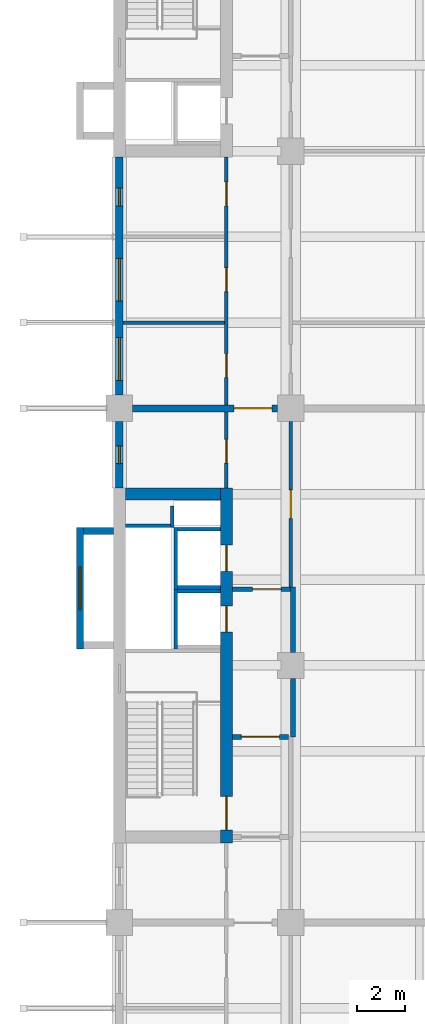
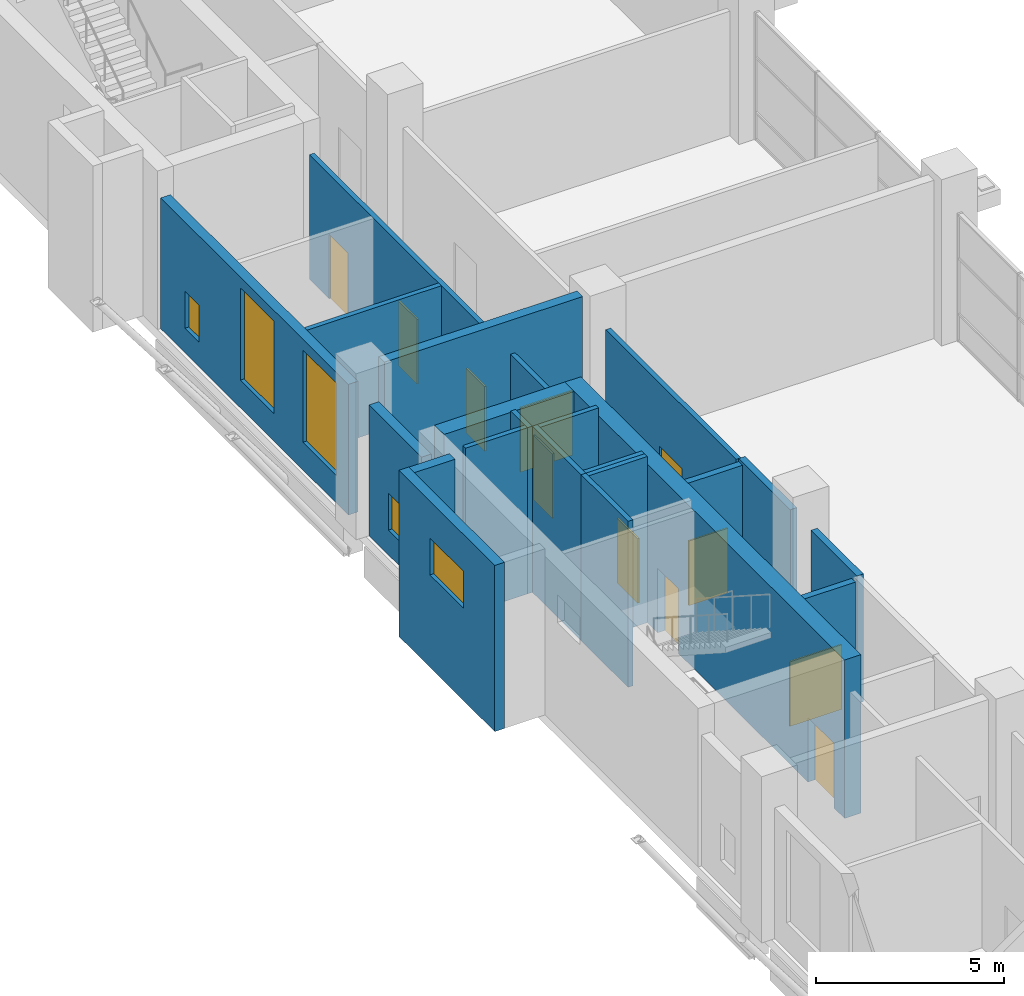
# One storey, part 20 of 38: 22 walls, 11 doors, 5 windows, 16 openings.
"""IFC4 building model written with IfcOpenShell, lengths in metres."""

from ifc_helpers import new_model, si_unit, direction, frame, frame_2d, origin, place, context, subcontext, project, spatial, rectangle, extrude, material, layer, layer_set, type_object, element, fill, save


model = new_model("IFC4")

# Units and contexts
model_context = context("Model", 3, precision=1e-05, world=origin(), true_north=direction((0.0, 1.0)))
body_context = subcontext(model_context, "Body", "Model", "MODEL_VIEW")
ifc_project = project(units=[si_unit("LENGTHUNIT", "METRE"), si_unit("AREAUNIT", "SQUARE_METRE"), si_unit("VOLUMEUNIT", "CUBIC_METRE"), si_unit("PLANEANGLEUNIT", "RADIAN"), si_unit("MASSUNIT", "GRAM", prefix="KILO")], contexts=[model_context])

# Site, building, storey
site_placement = place(None, origin())
site = spatial("IfcSite", under=ifc_project, at=site_placement, CompositionType="ELEMENT")
building_placement = place(site_placement, origin())
building = spatial("IfcBuilding", under=site, at=building_placement, Name="Basin Gate Institute", CompositionType="ELEMENT")
storey_placement = place(building_placement, frame((0.0, 0.0, 16.800048828125)))
storey = spatial("IfcBuildingStorey", under=building, at=storey_placement, Name="L03", CompositionType="ELEMENT", Elevation=16.800048828125)

# Wall, opening, door
ifc_material_1 = material(Name="Fire-rated masonry", Category="masonry")
ifc_layer_1 = layer(ifc_material_1, 0.199951171875)
ifc_layer_set_1 = layer_set([ifc_layer_1], Name="Enclosure wall PW2 200 EI 60")
wall_type_1 = type_object("IfcWallType", Name="Enclosure wall PW2 200 EI 60", PredefinedType="PARTITIONING", material=ifc_layer_set_1)
wall_1_placement = place(storey_placement, frame((65.949951171875, 64.5, 0.0), z_axis=(0.0, 0.0, 1.0), x_axis=(1.0, 0.0, 0.0)))
wall_1 = element("IfcWall", 1, at=wall_1_placement, inside=storey, type_object=wall_type_1, material=ifc_layer_set_1, Name="Smoke lobby enclosure wall PW2 L03", PredefinedType="PARTITIONING", context=body_context, shape_type="SweptSolid", body=[
    extrude(rectangle(XDim=2.35009765625, YDim=0.199951171875, at=frame_2d((1.175048828125, 0.0))), origin(), (0.0, 0.0, 1.0), 4.050048828125),
])
opening_1_placement = place(wall_1_placement, frame((0.375, 0.0, 0.0)))
opening_1 = element("IfcOpeningElement", 2, at=opening_1_placement, cuts=wall_1, Name="Opening DR193", PredefinedType="OPENING", context=body_context, shape_type="SweptSolid", body=[
    extrude(rectangle(XDim=1.60009765625, YDim=2.10009765625, at=frame_2d((0.800048828125, 1.050048828125))), frame((0.0, 0.10986328125, 0.0), z_axis=(0.0, -1.0, 0.0), x_axis=(1.0, 0.0, 0.0)), (0.0, 0.0, 1.0), 0.219970703125),
])
ifc_material_2 = material(Name="Steel fire door", Category="steel")
door_type_1 = type_object("IfcDoorType", Name="FD60 Smoke lobby door pair D8", OperationType="DOUBLE_DOOR_SINGLE_SWING", PredefinedType="DOOR", material=ifc_material_2)
door_1_placement = place(opening_1_placement, frame((1.60009765625, 0.0, 0.0), z_axis=(0.0, 0.0, 1.0), x_axis=(-1.0, 0.0, 0.0)))
door_1 = element("IfcDoor", 3, at=door_1_placement, inside=storey, type_object=door_type_1, material=ifc_material_2, Name="Smoke lobby door SS2 L03", OperationType="DOUBLE_DOOR_SINGLE_SWING", OverallHeight=2.10009765625, OverallWidth=1.60009765625, PredefinedType="DOOR", context=body_context, shape_type="SweptSolid", body=[
    extrude(rectangle(XDim=1.60009765625, YDim=2.10009765625, at=frame_2d((0.800048828125, 1.050048828125))), frame((0.0, 0.02490234375, 0.0), z_axis=(0.0, -1.0, 0.0), x_axis=(1.0, 0.0, 0.0)), (0.0, 0.0, 1.0), 0.050048828125),
])
fill(opening_1, door_1)

wall_2_placement = place(storey_placement, frame((65.949951171875, 70.699951171875, 0.0), z_axis=(0.0, 0.0, 1.0), x_axis=(1.0, 0.0, 0.0)))
wall_2 = element("IfcWall", 4, at=wall_2_placement, inside=storey, type_object=wall_type_1, material=ifc_layer_set_1, Name="Emergency lift lobby wall PW2 L03", PredefinedType="PARTITIONING", context=body_context, shape_type="SweptSolid", body=[
    extrude(rectangle(XDim=2.449951171875, YDim=0.199951171875, at=frame_2d((1.22509765625, 0.0))), origin(), (0.0, 0.0, 1.0), 4.050048828125),
])
opening_2_placement = place(wall_2_placement, frame((0.85009765625, 0.0, 0.0)))
opening_2 = element("IfcOpeningElement", 5, at=opening_2_placement, cuts=wall_2, Name="Opening DR190", PredefinedType="OPENING", context=body_context, shape_type="SweptSolid", body=[
    extrude(rectangle(XDim=1.199951171875, YDim=2.10009765625, at=frame_2d((0.60009765625, 1.050048828125))), frame((0.0, 0.10986328125, 0.0), z_axis=(0.0, -1.0, 0.0), x_axis=(1.0, 0.0, 0.0)), (0.0, 0.0, 1.0), 0.219970703125),
])
ifc_material_3 = material(Name="Steel fire door", Category="steel")
door_type_2 = type_object("IfcDoorType", Name="FD60 Emergency lift lobby door D9", OperationType="NOTDEFINED", PredefinedType="DOOR", material=ifc_material_3)
door_2_placement = place(opening_2_placement, frame((1.199951171875, 0.0, 0.0), z_axis=(0.0, 0.0, 1.0), x_axis=(-1.0, 0.0, 0.0)))
door_2 = element("IfcDoor", 6, at=door_2_placement, inside=storey, type_object=door_type_2, material=ifc_material_3, Name="Emergency lift lobby door LF1 L03", OperationType="SINGLE_SWING_LEFT", OverallHeight=2.10009765625, OverallWidth=1.199951171875, PredefinedType="DOOR", context=body_context, shape_type="SweptSolid", body=[
    extrude(rectangle(XDim=1.199951171875, YDim=2.10009765625, at=frame_2d((0.60009765625, 1.050048828125))), frame((0.0, 0.02490234375, 0.0), z_axis=(0.0, -1.0, 0.0), x_axis=(1.0, 0.0, 0.0)), (0.0, 0.0, 1.0), 0.050048828125),
])
fill(opening_2, door_2)

# Walls
wall_3_placement = place(storey_placement, frame((68.5, 64.5, 0.0), z_axis=(0.0, 0.0, 1.0), x_axis=(0.0, 1.0, 0.0)))
element("IfcWall", 7, at=wall_3_placement, inside=storey, type_object=wall_type_1, material=ifc_layer_set_1, Name="Emergency lift lobby wall PW2 L03", PredefinedType="PARTITIONING", context=body_context, shape_type="SweptSolid", body=[
    extrude(rectangle(XDim=2.449951171875, YDim=0.199951171875, at=frame_2d((1.22509765625, 0.0))), origin(), (0.0, 0.0, 1.0), 4.14990234375),
])
wall_4_placement = place(storey_placement, frame((68.5, 68.050048828125, 0.0), z_axis=(0.0, 0.0, 1.0), x_axis=(0.0, 1.0, 0.0)))
element("IfcWall", 8, at=wall_4_placement, inside=storey, type_object=wall_type_1, material=ifc_layer_set_1, Name="Emergency lift lobby wall PW2 L03", PredefinedType="PARTITIONING", context=body_context, shape_type="SweptSolid", body=[
    extrude(rectangle(XDim=2.75, YDim=0.199951171875, at=frame_2d((1.375, 0.0))), origin(), (0.0, 0.0, 1.0), 4.14990234375),
])

# Wall, opening, window
ifc_material_4 = material(Name="Aluminium-faced insulated panel wall", Category="aluminium")
ifc_layer_2 = layer(ifc_material_4, 0.300048828125)
ifc_layer_set_2 = layer_set([ifc_layer_2], Name="External wall EW1 EI 120")
wall_type_2 = type_object("IfcWallType", Name="External wall EW1 EI 120", PredefinedType="STANDARD", material=ifc_layer_set_2)
wall_5_placement = place(storey_placement, frame((61.199951171875, 74.949951171875, 0.0), z_axis=(0.0, 0.0, 1.0), x_axis=(0.0, 1.0, 0.0)))
wall_5 = element("IfcWall", 9, at=wall_5_placement, inside=storey, type_object=wall_type_2, material=ifc_layer_set_2, Name="External wall W facade L03 3", PredefinedType="STANDARD", context=body_context, shape_type="SweptSolid", body=[
    extrude(rectangle(XDim=2.800048828125, YDim=0.300048828125, at=frame_2d((1.39990234375, 0.0))), origin(), (0.0, 0.0, 1.0), 4.25),
])
opening_3_placement = place(wall_5_placement, frame((1.02490234375, 0.0, 0.800048828125)))
opening_3 = element("IfcOpeningElement", 10, at=opening_3_placement, cuts=wall_5, Name="Opening WN3", PredefinedType="OPENING", context=body_context, shape_type="SweptSolid", body=[
    extrude(rectangle(XDim=0.75, YDim=1.199951171875, at=frame_2d((0.375, 0.60009765625))), frame((0.0, 0.16015625, 0.0), z_axis=(0.0, -1.0, 0.0), x_axis=(1.0, 0.0, 0.0)), (0.0, 0.0, 1.0), 0.320068359375),
])
ifc_material_5 = material(Name="Aluminium-framed double glazing", Category="aluminium")
window_type_1 = type_object("IfcWindowType", Name="Emergency entry panel WN3", PartitioningType="SINGLE_PANEL", PredefinedType="WINDOW", material=ifc_material_5)
window_1_placement = place(opening_3_placement, origin())
window_1 = element("IfcWindow", 11, at=window_1_placement, inside=storey, type_object=window_type_1, material=ifc_material_5, Name="Emergency entry panel W facade L03 bay 12", OverallHeight=1.199951171875, OverallWidth=0.75, PartitioningType="SINGLE_PANEL", PredefinedType="WINDOW", context=body_context, shape_type="SweptSolid", body=[
    extrude(rectangle(XDim=0.75, YDim=1.199951171875, at=frame_2d((0.375, 0.60009765625))), frame((0.0, 0.030029296875, 0.0), z_axis=(0.0, -1.0, 0.0), x_axis=(1.0, 0.0, 0.0)), (0.0, 0.0, 1.0), 0.06005859375),
])
fill(opening_3, window_1)

# Wall, openings, windows
wall_6_placement = place(storey_placement, frame((61.199951171875, 78.85009765625, 0.0), z_axis=(0.0, 0.0, 1.0), x_axis=(0.0, 1.0, 0.0)))
wall_6 = element("IfcWall", 12, at=wall_6_placement, inside=storey, type_object=wall_type_2, material=ifc_layer_set_2, Name="External wall W facade L03 4", PredefinedType="STANDARD", context=body_context, shape_type="SweptSolid", body=[
    extrude(rectangle(XDim=10.0, YDim=0.300048828125, at=frame_2d((5.0, 0.0))), origin(), (0.0, 0.0, 1.0), 4.25),
])
opening_4_placement = place(wall_6_placement, frame((0.625, 0.0, 0.89990234375)))
opening_4 = element("IfcOpeningElement", 13, at=opening_4_placement, cuts=wall_6, Name="Opening WN2", PredefinedType="OPENING", context=body_context, shape_type="SweptSolid", body=[
    extrude(rectangle(XDim=1.800048828125, YDim=3.0, at=frame_2d((0.89990234375, 1.5))), frame((0.0, 0.16015625, 0.0), z_axis=(0.0, -1.0, 0.0), x_axis=(1.0, 0.0, 0.0)), (0.0, 0.0, 1.0), 0.320068359375),
])
opening_5_placement = place(wall_6_placement, frame((3.949951171875, 0.0, 0.89990234375)))
opening_5 = element("IfcOpeningElement", 14, at=opening_5_placement, cuts=wall_6, Name="Opening WN2", PredefinedType="OPENING", context=body_context, shape_type="SweptSolid", body=[
    extrude(rectangle(XDim=1.800048828125, YDim=3.0, at=frame_2d((0.89990234375, 1.5))), frame((0.0, 0.16015625, 0.0), z_axis=(0.0, -1.0, 0.0), x_axis=(1.0, 0.0, 0.0)), (0.0, 0.0, 1.0), 0.320068359375),
])
opening_6_placement = place(wall_6_placement, frame((7.949951171875, 0.0, 0.800048828125)))
opening_6 = element("IfcOpeningElement", 15, at=opening_6_placement, cuts=wall_6, Name="Opening WN3", PredefinedType="OPENING", context=body_context, shape_type="SweptSolid", body=[
    extrude(rectangle(XDim=0.75, YDim=1.199951171875, at=frame_2d((0.375, 0.60009765625))), frame((0.0, 0.16015625, 0.0), z_axis=(0.0, -1.0, 0.0), x_axis=(1.0, 0.0, 0.0)), (0.0, 0.0, 1.0), 0.320068359375),
])
window_2_placement = place(opening_6_placement, origin())
window_2 = element("IfcWindow", 16, at=window_2_placement, inside=storey, type_object=window_type_1, material=ifc_material_5, Name="Emergency entry panel W facade L03 bay 15", OverallHeight=1.199951171875, OverallWidth=0.75, PartitioningType="SINGLE_PANEL", PredefinedType="WINDOW", context=body_context, shape_type="SweptSolid", body=[
    extrude(rectangle(XDim=0.75, YDim=1.199951171875, at=frame_2d((0.375, 0.60009765625))), frame((0.0, 0.030029296875, 0.0), z_axis=(0.0, -1.0, 0.0), x_axis=(1.0, 0.0, 0.0)), (0.0, 0.0, 1.0), 0.06005859375),
])
fill(opening_6, window_2)
ifc_material_6 = material(Name="Aluminium-framed double glazing", Category="aluminium")
window_type_2 = type_object("IfcWindowType", Name="Podium window WN2", PartitioningType="SINGLE_PANEL", PredefinedType="WINDOW", material=ifc_material_6)
window_3_placement = place(opening_4_placement, origin())
window_3 = element("IfcWindow", 17, at=window_3_placement, inside=storey, type_object=window_type_2, material=ifc_material_6, Name="Podium window W facade L03 bay 13", OverallHeight=3.0, OverallWidth=1.800048828125, PartitioningType="SINGLE_PANEL", PredefinedType="WINDOW", context=body_context, shape_type="SweptSolid", body=[
    extrude(rectangle(XDim=1.800048828125, YDim=3.0, at=frame_2d((0.89990234375, 1.5))), frame((0.0, 0.030029296875, 0.0), z_axis=(0.0, -1.0, 0.0), x_axis=(1.0, 0.0, 0.0)), (0.0, 0.0, 1.0), 0.06005859375),
])
fill(opening_4, window_3)
window_4_placement = place(opening_5_placement, origin())
window_4 = element("IfcWindow", 18, at=window_4_placement, inside=storey, type_object=window_type_2, material=ifc_material_6, Name="Podium window W facade L03 bay 14", OverallHeight=3.0, OverallWidth=1.800048828125, PartitioningType="SINGLE_PANEL", PredefinedType="WINDOW", context=body_context, shape_type="SweptSolid", body=[
    extrude(rectangle(XDim=1.800048828125, YDim=3.0, at=frame_2d((0.89990234375, 1.5))), frame((0.0, 0.030029296875, 0.0), z_axis=(0.0, -1.0, 0.0), x_axis=(1.0, 0.0, 0.0)), (0.0, 0.0, 1.0), 0.06005859375),
])
fill(opening_5, window_4)

# Wall, opening, door
ifc_material_7 = material(Name="Gypsum board on steel stud", Category="steel")
ifc_layer_3 = layer(ifc_material_7, 0.14990234375)
ifc_layer_set_3 = layer_set([ifc_layer_3], Name="Gypsum board on steel stud")
wall_type_3 = type_object("IfcWallType", Name="Partition PW1 150 EI 60", PredefinedType="PARTITIONING", material=ifc_layer_set_3)
wall_7_placement = place(storey_placement, frame((65.699951171875, 74.949951171875, 0.0), z_axis=(0.0, 0.0, 1.0), x_axis=(0.0, 1.0, 0.0)))
wall_7 = element("IfcWall", 19, at=wall_7_placement, inside=storey, type_object=wall_type_3, material=ifc_layer_set_3, Name="Corridor wall PW1 L03", PredefinedType="PARTITIONING", context=body_context, shape_type="SweptSolid", body=[
    extrude(rectangle(XDim=3.199951171875, YDim=0.14990234375, at=frame_2d((1.60009765625, 0.0))), origin(), (0.0, 0.0, 1.0), 4.050048828125),
])
opening_7_placement = place(wall_7_placement, frame((1.050048828125, 0.0, 0.0)))
opening_7 = element("IfcOpeningElement", 20, at=opening_7_placement, cuts=wall_7, Name="Opening DR181", PredefinedType="OPENING", context=body_context, shape_type="SweptSolid", body=[
    extrude(rectangle(XDim=1.0, YDim=2.10009765625, at=frame_2d((0.5, 1.050048828125))), frame((0.0, 0.0849609375, 0.0), z_axis=(0.0, -1.0, 0.0), x_axis=(1.0, 0.0, 0.0)), (0.0, 0.0, 1.0), 0.169921875),
])
ifc_material_8 = material(Name="Timber fire door", Category="wood")
door_type_3 = type_object("IfcDoorType", Name="FD30 Office door D1", OperationType="NOTDEFINED", PredefinedType="DOOR", material=ifc_material_8)
door_3_placement = place(opening_7_placement, origin())
door_3 = element("IfcDoor", 21, at=door_3_placement, inside=storey, type_object=door_type_3, material=ifc_material_8, Name="Door to Meeting Room 0305 L03", OperationType="SINGLE_SWING_LEFT", OverallHeight=2.10009765625, OverallWidth=1.0, PredefinedType="DOOR", context=body_context, shape_type="SweptSolid", body=[
    extrude(rectangle(XDim=1.0, YDim=2.10009765625, at=frame_2d((0.5, 1.050048828125))), frame((0.0, 0.02490234375, 0.0), z_axis=(0.0, -1.0, 0.0), x_axis=(1.0, 0.0, 0.0)), (0.0, 0.0, 1.0), 0.050048828125),
])
fill(opening_7, door_3)

# Wall, openings, doors
wall_8_placement = place(storey_placement, frame((65.699951171875, 78.449951171875, 0.0), z_axis=(0.0, 0.0, 1.0), x_axis=(0.0, 1.0, 0.0)))
wall_8 = element("IfcWall", 22, at=wall_8_placement, inside=storey, type_object=wall_type_3, material=ifc_layer_set_3, Name="Corridor wall PW1 L03", PredefinedType="PARTITIONING", context=body_context, shape_type="SweptSolid", body=[
    extrude(rectangle(XDim=10.400146484375, YDim=0.14990234375, at=frame_2d((5.2001953125, 0.0))), origin(), (0.0, 0.0, 1.0), 4.050048828125),
])
opening_8_placement = place(wall_8_placement, frame((4.75, 0.0, 0.0)))
opening_8 = element("IfcOpeningElement", 23, at=opening_8_placement, cuts=wall_8, Name="Opening DR176", PredefinedType="OPENING", context=body_context, shape_type="SweptSolid", body=[
    extrude(rectangle(XDim=1.0, YDim=2.10009765625, at=frame_2d((0.5, 1.050048828125))), frame((0.0, 0.0849609375, 0.0), z_axis=(0.0, -1.0, 0.0), x_axis=(1.0, 0.0, 0.0)), (0.0, 0.0, 1.0), 0.169921875),
])
opening_9_placement = place(wall_8_placement, frame((1.14990234375, 0.0, 0.0)))
opening_9 = element("IfcOpeningElement", 24, at=opening_9_placement, cuts=wall_8, Name="Opening DR188", PredefinedType="OPENING", context=body_context, shape_type="SweptSolid", body=[
    extrude(rectangle(XDim=1.0, YDim=2.10009765625, at=frame_2d((0.5, 1.050048828125))), frame((0.0, 0.0849609375, 0.0), z_axis=(0.0, -1.0, 0.0), x_axis=(1.0, 0.0, 0.0)), (0.0, 0.0, 1.0), 0.169921875),
])
opening_10_placement = place(wall_8_placement, frame((8.35009765625, 0.0, 0.0)))
opening_10 = element("IfcOpeningElement", 25, at=opening_10_placement, cuts=wall_8, Name="Opening DR189", PredefinedType="OPENING", context=body_context, shape_type="SweptSolid", body=[
    extrude(rectangle(XDim=1.0, YDim=2.10009765625, at=frame_2d((0.5, 1.050048828125))), frame((0.0, 0.0849609375, 0.0), z_axis=(0.0, -1.0, 0.0), x_axis=(1.0, 0.0, 0.0)), (0.0, 0.0, 1.0), 0.169921875),
])
door_4_placement = place(opening_9_placement, origin())
door_4 = element("IfcDoor", 26, at=door_4_placement, inside=storey, type_object=door_type_3, material=ifc_material_8, Name="Door to Write-up Office 0306 L03", OperationType="SINGLE_SWING_LEFT", OverallHeight=2.10009765625, OverallWidth=1.0, PredefinedType="DOOR", context=body_context, shape_type="SweptSolid", body=[
    extrude(rectangle(XDim=1.0, YDim=2.10009765625, at=frame_2d((0.5, 1.050048828125))), frame((0.0, 0.02490234375, 0.0), z_axis=(0.0, -1.0, 0.0), x_axis=(1.0, 0.0, 0.0)), (0.0, 0.0, 1.0), 0.050048828125),
])
fill(opening_9, door_4)
door_5_placement = place(opening_10_placement, origin())
door_5 = element("IfcDoor", 27, at=door_5_placement, inside=storey, type_object=door_type_3, material=ifc_material_8, Name="Door to Write-up Office 0308 L03", OperationType="SINGLE_SWING_RIGHT", OverallHeight=2.10009765625, OverallWidth=1.0, PredefinedType="DOOR", context=body_context, shape_type="SweptSolid", body=[
    extrude(rectangle(XDim=1.0, YDim=2.10009765625, at=frame_2d((0.5, 1.050048828125))), frame((0.0, 0.02490234375, 0.0), z_axis=(0.0, -1.0, 0.0), x_axis=(1.0, 0.0, 0.0)), (0.0, 0.0, 1.0), 0.050048828125),
])
fill(opening_10, door_5)
ifc_material_9 = material(Name="Timber fire door", Category="wood")
door_type_4 = type_object("IfcDoorType", Name="FD30 Toilet door D3", OperationType="NOTDEFINED", PredefinedType="DOOR", material=ifc_material_9)
door_6_placement = place(opening_8_placement, origin())
door_6 = element("IfcDoor", 28, at=door_6_placement, inside=storey, type_object=door_type_4, material=ifc_material_9, Name="Door to Accessible WC L03", OperationType="SINGLE_SWING_LEFT", OverallHeight=2.10009765625, OverallWidth=1.0, PredefinedType="DOOR", context=body_context, shape_type="SweptSolid", body=[
    extrude(rectangle(XDim=1.0, YDim=2.10009765625, at=frame_2d((0.5, 1.050048828125))), frame((0.0, 0.02490234375, 0.0), z_axis=(0.0, -1.0, 0.0), x_axis=(1.0, 0.0, 0.0)), (0.0, 0.0, 1.0), 0.050048828125),
])
fill(opening_8, door_6)

# Wall, opening, door
wall_9_placement = place(storey_placement, frame((68.39990234375, 70.800048828125, 0.0), z_axis=(0.0, 0.0, 1.0), x_axis=(0.0, 1.0, 0.0)))
wall_9 = element("IfcWall", 29, at=wall_9_placement, inside=storey, type_object=wall_type_3, material=ifc_layer_set_3, Name="Laboratory corridor wall PW1 L03", PredefinedType="PARTITIONING", context=body_context, shape_type="SweptSolid", body=[
    extrude(rectangle(XDim=6.949951171875, YDim=0.14990234375, at=frame_2d((3.47509765625, 0.0))), origin(), (0.0, 0.0, 1.0), 4.14990234375),
])
opening_11_placement = place(wall_9_placement, frame((2.875, 0.0, 0.0)))
opening_11 = element("IfcOpeningElement", 30, at=opening_11_placement, cuts=wall_9, Name="Opening DR183", PredefinedType="OPENING", context=body_context, shape_type="SweptSolid", body=[
    extrude(rectangle(XDim=1.199951171875, YDim=2.10009765625, at=frame_2d((0.60009765625, 1.050048828125))), frame((0.0, 0.0849609375, 0.0), z_axis=(0.0, -1.0, 0.0), x_axis=(1.0, 0.0, 0.0)), (0.0, 0.0, 1.0), 0.169921875),
])
ifc_material_10 = material(Name="Timber fire door", Category="wood")
door_type_5 = type_object("IfcDoorType", Name="FD30 Laboratory door D2", OperationType="DOUBLE_DOOR_SINGLE_SWING", PredefinedType="DOOR", material=ifc_material_10)
door_7_placement = place(opening_11_placement, frame((1.199951171875, 0.0, 0.0), z_axis=(0.0, 0.0, 1.0), x_axis=(-1.0, 0.0, 0.0)))
door_7 = element("IfcDoor", 31, at=door_7_placement, inside=storey, type_object=door_type_5, material=ifc_material_10, Name="Door to Wet Laboratory 0319 L03", OperationType="DOUBLE_DOOR_SINGLE_SWING", OverallHeight=2.10009765625, OverallWidth=1.199951171875, PredefinedType="DOOR", context=body_context, shape_type="SweptSolid", body=[
    extrude(rectangle(XDim=1.199951171875, YDim=2.10009765625, at=frame_2d((0.60009765625, 1.050048828125))), frame((0.0, 0.02490234375, 0.0), z_axis=(0.0, -1.0, 0.0), x_axis=(1.0, 0.0, 0.0)), (0.0, 0.0, 1.0), 0.050048828125),
])
fill(opening_11, door_7)

# Walls
ifc_material_11 = material(Name="Gypsum board on steel stud", Category="steel")
ifc_layer_4 = layer(ifc_material_11, 0.14990234375)
ifc_layer_set_4 = layer_set([ifc_layer_4], Name="Gypsum board on steel stud")
wall_type_4 = type_object("IfcWallType", Name="Partition PW4 150", PredefinedType="PARTITIONING", material=ifc_layer_set_4)
wall_10_placement = place(storey_placement, frame((61.35009765625, 81.89990234375, 0.0), z_axis=(0.0, 0.0, 1.0), x_axis=(1.0, 0.0, 0.0)))
element("IfcWall", 32, at=wall_10_placement, inside=storey, type_object=wall_type_4, material=ifc_layer_set_4, Name="Toilet partition PW4 L03", PredefinedType="PARTITIONING", context=body_context, shape_type="SweptSolid", body=[
    extrude(rectangle(XDim=4.27490234375, YDim=0.14990234375, at=frame_2d((2.137451171875, 0.0))), origin(), (0.0, 0.0, 1.0), 4.050048828125),
])
ifc_material_12 = material(Name="Concrete 40 MPa", Category="concrete")
ifc_layer_5 = layer(ifc_material_12, 0.14990234375)
ifc_layer_set_5 = layer_set([ifc_layer_5], Name="Concrete 40 MPa")
wall_type_5 = type_object("IfcWallType", Name="Wall LS1 lift shaft enclosure R180", PredefinedType="SOLIDWALL", material=ifc_layer_set_5)
wall_11_placement = place(storey_placement, frame((63.574951171875, 68.199951171875, 0.0), z_axis=(0.0, 0.0, 1.0), x_axis=(0.0, 1.0, 0.0)))
element("IfcWall", 33, at=wall_11_placement, inside=storey, type_object=wall_type_5, material=ifc_layer_set_5, Name="Lift shaft enclosure LF1 L03 UL", PredefinedType="SOLIDWALL", context=body_context, shape_type="SweptSolid", body=[
    extrude(rectangle(XDim=2.5, YDim=0.14990234375, at=frame_2d((1.25, 0.0))), origin(), (0.0, 0.0, 1.0), 5.39990234375),
])
wall_12_placement = place(storey_placement, frame((63.64990234375, 70.625, 0.0), z_axis=(0.0, 0.0, 1.0), x_axis=(1.0, 0.0, 0.0)))
element("IfcWall", 34, at=wall_12_placement, inside=storey, type_object=wall_type_5, material=ifc_layer_set_5, Name="Lift shaft enclosure LF1 L03 RH", PredefinedType="SOLIDWALL", context=body_context, shape_type="SweptSolid", body=[
    extrude(rectangle(XDim=1.800048828125, YDim=0.14990234375, at=frame_2d((0.89990234375, 0.0))), origin(), (0.0, 0.0, 1.0), 5.39990234375),
])
wall_13_placement = place(storey_placement, frame((63.574951171875, 70.699951171875, 0.0), z_axis=(0.0, 0.0, 1.0), x_axis=(0.0, 1.0, 0.0)))
element("IfcWall", 35, at=wall_13_placement, inside=storey, type_object=wall_type_5, material=ifc_layer_set_5, Name="Lift shaft enclosure LP2 L03 UL", PredefinedType="SOLIDWALL", context=body_context, shape_type="SweptSolid", body=[
    extrude(rectangle(XDim=2.60009765625, YDim=0.14990234375, at=frame_2d((1.300048828125, 0.0))), origin(), (0.0, 0.0, 1.0), 5.39990234375),
])
for number, where, z_axis, x_axis, name in (
    (36, (63.64990234375, 70.77490234375, 0.0), (0.0, 0.0, 1.0), (1.0, 0.0, 0.0), "Lift shaft enclosure LP2 L03 RL"),
    (37, (63.64990234375, 73.22509765625, 0.0), (0.0, 0.0, 1.0), (1.0, 0.0, 0.0), "Lift shaft enclosure LP2 L03 RH"),
):
    element("IfcWall", number, at=place(storey_placement, frame(where, z_axis=z_axis, x_axis=x_axis)), inside=storey, type_object=wall_type_5, material=ifc_layer_set_5, Name=name, PredefinedType="SOLIDWALL", context=body_context, shape_type="SweptSolid", body=[
        extrude(rectangle(XDim=1.800048828125, YDim=0.14990234375, at=frame_2d((0.89990234375, 0.0))), origin(), (0.0, 0.0, 1.0), 5.39990234375),
    ])
ifc_material_13 = material(Name="Concrete 40 MPa", Category="concrete")
ifc_layer_6 = layer(ifc_material_13, 0.14990234375)
ifc_layer_set_6 = layer_set([ifc_layer_6], Name="Concrete 40 MPa")
wall_type_6 = type_object("IfcWallType", Name="Wall RS1 riser shaft enclosure R180", PredefinedType="SOLIDWALL", material=ifc_layer_set_6)
wall_14_placement = place(storey_placement, frame((61.449951171875, 73.375, 0.0), z_axis=(0.0, 0.0, 1.0), x_axis=(1.0, 0.0, 0.0)))
element("IfcWall", 38, at=wall_14_placement, inside=storey, type_object=wall_type_6, material=ifc_layer_set_6, Name="Riser shaft enclosure WM L03 N", PredefinedType="SOLIDWALL", context=body_context, shape_type="SweptSolid", body=[
    extrude(rectangle(XDim=1.900146484375, YDim=0.14990234375, at=frame_2d((0.9501953125, 0.0))), origin(), (0.0, 0.0, 1.0), 5.39990234375),
])
wall_15_placement = place(storey_placement, frame((63.425048828125, 73.300048828125, 0.0), z_axis=(0.0, 0.0, 1.0), x_axis=(0.0, 1.0, 0.0)))
element("IfcWall", 39, at=wall_15_placement, inside=storey, type_object=wall_type_6, material=ifc_layer_set_6, Name="Riser shaft enclosure WM L03 W", PredefinedType="SOLIDWALL", context=body_context, shape_type="SweptSolid", body=[
    extrude(rectangle(XDim=0.89990234375, YDim=0.14990234375, at=frame_2d((0.449951171875, 0.0))), origin(), (0.0, 0.0, 1.0), 5.39990234375),
])

# Wall, opening, window
ifc_material_14 = material(Name="Concrete 50 MPa", Category="concrete")
ifc_layer_7 = layer(ifc_material_14, 0.300048828125)
ifc_layer_set_7 = layer_set([ifc_layer_7], Name="Concrete 50 MPa")
wall_type_7 = type_object("IfcWallType", Name="Wall SK1 R180", PredefinedType="SHEAR", material=ifc_layer_set_7)
wall_16_placement = place(storey_placement, frame((59.550048828125, 68.199951171875, 0.0), z_axis=(0.0, 0.0, 1.0), x_axis=(0.0, 1.0, 0.0)))
wall_16 = element("IfcWall", 40, at=wall_16_placement, inside=storey, type_object=wall_type_7, material=ifc_layer_set_7, Name="Spine riser stack wall SK1 WM F L03", PredefinedType="SHEAR", context=body_context, shape_type="SweptSolid", body=[
    extrude(rectangle(XDim=5.10009765625, YDim=0.300048828125, at=frame_2d((2.550048828125, 0.0))), origin(), (0.0, 0.0, 1.0), 5.39990234375),
])
opening_12_placement = place(wall_16_placement, frame((1.64990234375, 0.0, 3.0)))
opening_12 = element("IfcOpeningElement", 41, at=opening_12_placement, cuts=wall_16, Name="Opening WL1", PredefinedType="OPENING", context=body_context, shape_type="SweptSolid", body=[
    extrude(rectangle(XDim=1.800048828125, YDim=1.199951171875, at=frame_2d((0.89990234375, 0.60009765625))), frame((0.0, 0.16015625, 0.0), z_axis=(0.0, -1.0, 0.0), x_axis=(1.0, 0.0, 0.0)), (0.0, 0.0, 1.0), 0.320068359375),
])
ifc_material_15 = material(Name="Aluminium louvre blades with fire damper", Category="aluminium")
window_type_3 = type_object("IfcWindowType", Name="Riser louvre EI 180 WL1", PartitioningType="SINGLE_PANEL", PredefinedType="WINDOW", material=ifc_material_15)
window_5_placement = place(opening_12_placement, origin())
window_5 = element("IfcWindow", 42, at=window_5_placement, inside=storey, type_object=window_type_3, material=ifc_material_15, Name="Riser louvre EI 180 WM riser 1 L03", OverallHeight=1.199951171875, OverallWidth=1.800048828125, PartitioningType="SINGLE_PANEL", PredefinedType="WINDOW", context=body_context, shape_type="SweptSolid", body=[
    extrude(rectangle(XDim=1.800048828125, YDim=1.199951171875, at=frame_2d((0.89990234375, 0.60009765625))), frame((0.0, 0.030029296875, 0.0), z_axis=(0.0, -1.0, 0.0), x_axis=(1.0, 0.0, 0.0)), (0.0, 0.0, 1.0), 0.06005859375),
])
fill(opening_12, window_5)

# Wall
wall_17_placement = place(storey_placement, frame((60.949951171875, 73.14990234375, 0.0), z_axis=(0.0, 0.0, 1.0), x_axis=(-1.0, 0.0, 0.0)))
element("IfcWall", 43, at=wall_17_placement, inside=storey, type_object=wall_type_7, material=ifc_layer_set_7, Name="Spine riser stack wall SK1 WM B L03", PredefinedType="SHEAR", context=body_context, shape_type="SweptSolid", body=[
    extrude(rectangle(XDim=1.25, YDim=0.300048828125, at=frame_2d((0.625, 0.0))), origin(), (0.0, 0.0, 1.0), 5.39990234375),
])

# Wall, openings, doors
ifc_material_16 = material(Name="Concrete 60 MPa", Category="concrete")
ifc_layer_8 = layer(ifc_material_16, 0.5)
ifc_layer_set_8 = layer_set([ifc_layer_8], Name="Concrete 60 MPa")
wall_type_8 = type_object("IfcWallType", Name="Wall SW1 R180", PredefinedType="SHEAR", material=ifc_layer_set_8)
wall_18_placement = place(storey_placement, frame((65.699951171875, 60.050048828125, 0.0), z_axis=(0.0, 0.0, 1.0), x_axis=(0.0, 1.0, 0.0)))
wall_18 = element("IfcWall", 44, at=wall_18_placement, inside=storey, type_object=wall_type_8, material=ifc_layer_set_8, Name="WALL/L03/WM/C", PredefinedType="SHEAR", context=body_context, shape_type="SweptSolid", body=[
    extrude(rectangle(XDim=14.89990234375, YDim=0.5, at=frame_2d((7.449951171875, 0.0))), origin(), (0.0, 0.0, 1.0), 5.14990234375),
])
opening_13_placement = place(wall_18_placement, frame((0.550048828125, 0.0, 0.0)))
opening_13 = element("IfcOpeningElement", 45, at=opening_13_placement, cuts=wall_18, Name="Opening DS020", PredefinedType="OPENING", context=body_context, shape_type="SweptSolid", body=[
    extrude(rectangle(XDim=1.39990234375, YDim=2.10009765625, at=frame_2d((0.699951171875, 1.050048828125))), frame((0.0, 0.260009765625, 0.0), z_axis=(0.0, -1.0, 0.0), x_axis=(1.0, 0.0, 0.0)), (0.0, 0.0, 1.0), 0.52001953125),
])
opening_14_placement = place(wall_18_placement, frame((8.85009765625, 0.0, 0.0)))
opening_14 = element("IfcOpeningElement", 46, at=opening_14_placement, cuts=wall_18, Name="Opening LD023", PredefinedType="OPENING", context=body_context, shape_type="SweptSolid", body=[
    extrude(rectangle(XDim=1.10009765625, YDim=2.10009765625, at=frame_2d((0.550048828125, 1.050048828125))), frame((0.0, 0.260009765625, 0.0), z_axis=(0.0, -1.0, 0.0), x_axis=(1.0, 0.0, 0.0)), (0.0, 0.0, 1.0), 0.52001953125),
])
opening_15_placement = place(wall_18_placement, frame((11.39990234375, 0.0, 0.0)))
opening_15 = element("IfcOpeningElement", 47, at=opening_15_placement, cuts=wall_18, Name="Opening LD041", PredefinedType="OPENING", context=body_context, shape_type="SweptSolid", body=[
    extrude(rectangle(XDim=1.10009765625, YDim=2.10009765625, at=frame_2d((0.550048828125, 1.050048828125))), frame((0.0, 0.260009765625, 0.0), z_axis=(0.0, -1.0, 0.0), x_axis=(1.0, 0.0, 0.0)), (0.0, 0.0, 1.0), 0.52001953125),
])
ifc_material_17 = material(Name="Steel fire door", Category="steel")
door_type_6 = type_object("IfcDoorType", Name="FD30 Stair enclosure door DS", OperationType="DOUBLE_DOOR_SINGLE_SWING", PredefinedType="DOOR", material=ifc_material_17)
door_8_placement = place(opening_13_placement, origin())
door_8 = element("IfcDoor", 48, at=door_8_placement, inside=storey, type_object=door_type_6, material=ifc_material_17, Name="Stair enclosure door ST-WM L03", OperationType="DOUBLE_DOOR_SINGLE_SWING", OverallHeight=2.10009765625, OverallWidth=1.39990234375, PredefinedType="DOOR", context=body_context, shape_type="SweptSolid", body=[
    extrude(rectangle(XDim=1.39990234375, YDim=2.10009765625, at=frame_2d((0.699951171875, 1.050048828125))), frame((0.0, 0.02490234375, 0.0), z_axis=(0.0, -1.0, 0.0), x_axis=(1.0, 0.0, 0.0)), (0.0, 0.0, 1.0), 0.050048828125),
])
fill(opening_13, door_8)
ifc_material_18 = material(Name="Stainless steel", Category="steel")
door_type_7 = type_object("IfcDoorType", Name="FD60 Lift landing door LD", OperationType="SLIDING_TO_LEFT", PredefinedType="DOOR", material=ifc_material_18)
door_9_placement = place(opening_14_placement, origin())
door_9 = element("IfcDoor", 49, at=door_9_placement, inside=storey, type_object=door_type_7, material=ifc_material_18, Name="Lift landing door LF1 L03", OperationType="SLIDING_TO_LEFT", OverallHeight=2.10009765625, OverallWidth=1.10009765625, PredefinedType="DOOR", context=body_context, shape_type="SweptSolid", body=[
    extrude(rectangle(XDim=1.10009765625, YDim=2.10009765625, at=frame_2d((0.550048828125, 1.050048828125))), frame((0.0, 0.02490234375, 0.0), z_axis=(0.0, -1.0, 0.0), x_axis=(1.0, 0.0, 0.0)), (0.0, 0.0, 1.0), 0.050048828125),
])
fill(opening_14, door_9)
door_10_placement = place(opening_15_placement, origin())
door_10 = element("IfcDoor", 50, at=door_10_placement, inside=storey, type_object=door_type_7, material=ifc_material_18, Name="Lift landing door LP2 L03", OperationType="SLIDING_TO_LEFT", OverallHeight=2.10009765625, OverallWidth=1.10009765625, PredefinedType="DOOR", context=body_context, shape_type="SweptSolid", body=[
    extrude(rectangle(XDim=1.10009765625, YDim=2.10009765625, at=frame_2d((0.550048828125, 1.050048828125))), frame((0.0, 0.02490234375, 0.0), z_axis=(0.0, -1.0, 0.0), x_axis=(1.0, 0.0, 0.0)), (0.0, 0.0, 1.0), 0.050048828125),
])
fill(opening_15, door_10)

# Wall
wall_19_placement = place(storey_placement, frame((61.449951171875, 74.699951171875, 0.0), z_axis=(0.0, 0.0, 1.0), x_axis=(1.0, 0.0, 0.0)))
element("IfcWall", 51, at=wall_19_placement, inside=storey, type_object=wall_type_8, material=ifc_layer_set_8, Name="WALL/L03/WM/N", PredefinedType="SHEAR", context=body_context, shape_type="SweptSolid", body=[
    extrude(rectangle(XDim=4.0, YDim=0.5, at=frame_2d((2.0, 0.0))), origin(), (0.0, 0.0, 1.0), 5.14990234375),
])

# Wall, opening, door
ifc_material_19 = material(Name="Concrete 50 MPa", Category="concrete")
ifc_layer_9 = layer(ifc_material_19, 0.300048828125)
ifc_layer_set_9 = layer_set([ifc_layer_9], Name="Concrete 50 MPa")
wall_type_9 = type_object("IfcWallType", Name="Wall XW1 R180", PredefinedType="SHEAR", material=ifc_layer_set_9)
wall_20_placement = place(storey_placement, frame((61.75, 78.300048828125, 0.0), z_axis=(0.0, 0.0, 1.0), x_axis=(1.0, 0.0, 0.0)))
wall_20 = element("IfcWall", 52, at=wall_20_placement, inside=storey, type_object=wall_type_9, material=ifc_layer_set_9, Name="WALL/L03/WXE/1", PredefinedType="SHEAR", context=body_context, shape_type="SweptSolid", body=[
    extrude(rectangle(XDim=6.10009765625, YDim=0.300048828125, at=frame_2d((3.050048828125, 0.0))), origin(), (0.0, 0.0, 1.0), 5.14990234375),
])
opening_16_placement = place(wall_20_placement, frame((4.262451171875, 0.0, 0.0)))
opening_16 = element("IfcOpeningElement", 53, at=opening_16_placement, cuts=wall_20, Name="Opening DR196", PredefinedType="OPENING", context=body_context, shape_type="SweptSolid", body=[
    extrude(rectangle(XDim=1.60009765625, YDim=2.10009765625, at=frame_2d((0.800048828125, 1.050048828125))), frame((0.0, 0.16015625, 0.0), z_axis=(0.0, -1.0, 0.0), x_axis=(1.0, 0.0, 0.0)), (0.0, 0.0, 1.0), 0.320068359375),
])
ifc_material_20 = material(Name="Steel fire door", Category="steel")
door_type_8 = type_object("IfcDoorType", Name="FD60 Compartment door pair D7", OperationType="DOUBLE_DOOR_SINGLE_SWING", PredefinedType="DOOR", material=ifc_material_20)
door_11_placement = place(opening_16_placement, frame((1.60009765625, 0.0, 0.0), z_axis=(0.0, 0.0, 1.0), x_axis=(-1.0, 0.0, 0.0)))
door_11 = element("IfcDoor", 54, at=door_11_placement, inside=storey, type_object=door_type_8, material=ifc_material_20, Name="Compartment door pair L03 W2 L03", OperationType="DOUBLE_DOOR_SINGLE_SWING", OverallHeight=2.10009765625, OverallWidth=1.60009765625, PredefinedType="DOOR", context=body_context, shape_type="SweptSolid", body=[
    extrude(rectangle(XDim=1.60009765625, YDim=2.10009765625, at=frame_2d((0.800048828125, 1.050048828125))), frame((0.0, 0.02490234375, 0.0), z_axis=(0.0, -1.0, 0.0), x_axis=(1.0, 0.0, 0.0)), (0.0, 0.0, 1.0), 0.050048828125),
])
fill(opening_16, door_11)

save(model, "model.ifc")
